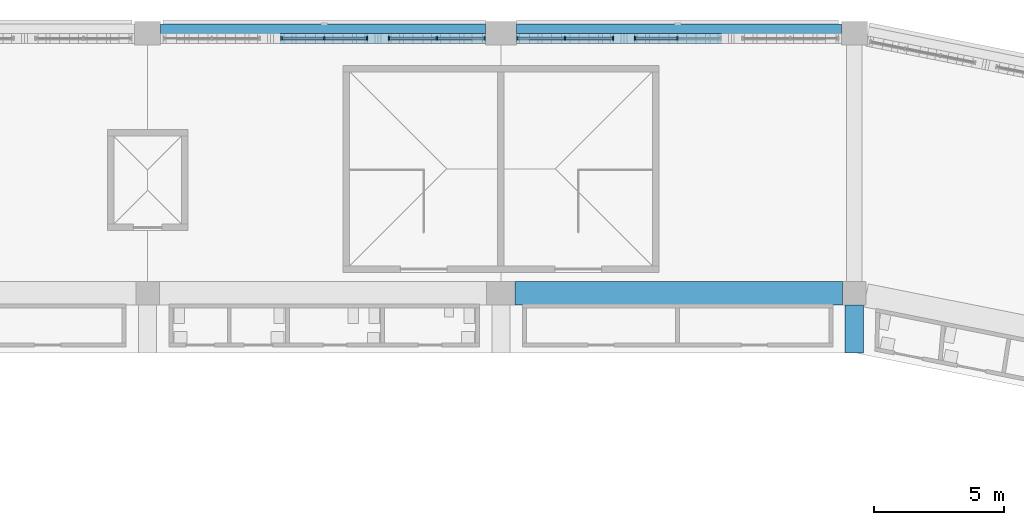
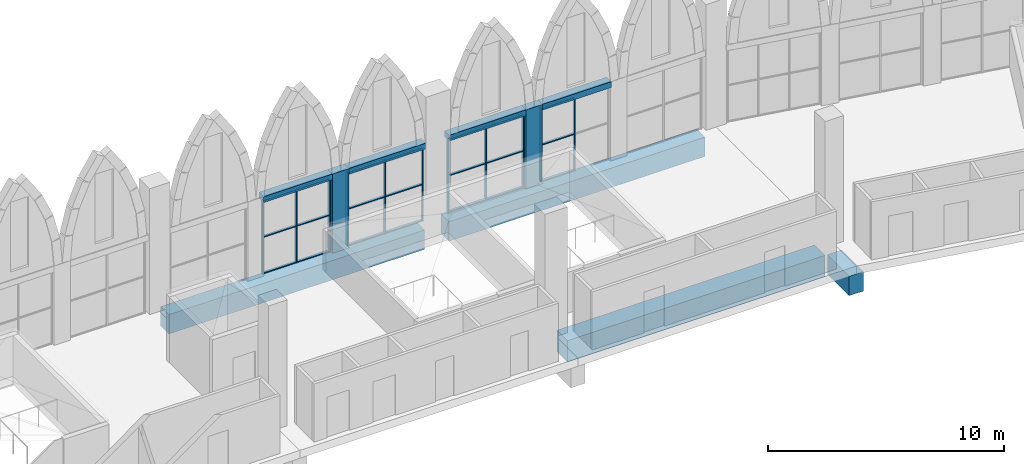
# One storey, part 38 of 130: 34 members, 8 beams, 4 elements without a shape of their own.
"""IFC4 building model written with IfcOpenShell, lengths in metres."""

from ifc_helpers import new_model, si_unit, direction, frame, origin, origin_2d, place, context, subcontext, project, spatial, rectangle, extrude, material, material_profile, profile_set, type_object, element, aggregate, save


model = new_model("IFC4")

# Units and contexts
model_context = context("Model", 3, precision=1e-05, world=origin(), true_north=direction((0.0, 1.0)))
body_context = subcontext(model_context, "Body", "Model", "MODEL_VIEW")
ifc_project = project(units=[si_unit("LENGTHUNIT", "METRE"), si_unit("AREAUNIT", "SQUARE_METRE"), si_unit("VOLUMEUNIT", "CUBIC_METRE"), si_unit("PLANEANGLEUNIT", "RADIAN"), si_unit("MASSUNIT", "GRAM", prefix="KILO")], contexts=[model_context])

# Site, building, storey
site_placement = place(None, origin())
site = spatial("IfcSite", under=ifc_project, at=site_placement, CompositionType="ELEMENT")
building_placement = place(site_placement, origin())
building = spatial("IfcBuilding", under=site, at=building_placement, Name="Ogive Plaza Stadium", CompositionType="ELEMENT")
storey_placement = place(building_placement, frame((0.0, 0.0, 22.5)))
storey = spatial("IfcBuildingStorey", under=building, at=storey_placement, Name="L05", CompositionType="ELEMENT", Elevation=22.5)

# Curtain wall, members
ifc_material_1 = material(Name="Bronze-anodised aluminium with laminated glass", Category="aluminium")
curtain_wall_type = type_object("IfcCurtainWallType", Name="Lancet curtain wall", PredefinedType="NOTDEFINED", material=ifc_material_1)
curtain_wall_1_placement = place(storey_placement, origin())
curtain_wall_1 = element("IfcCurtainWall", 1, at=curtain_wall_1_placement, inside=storey, type_object=curtain_wall_type, Name="CURTAIN WALL B35 L05", PredefinedType="NOTDEFINED")
ifc_material_2 = material(Name="Bronze-anodised aluminium", Category="aluminium")
ifc_material_profile_1 = material_profile(ifc_material_2, rectangle(XDim=0.14990234375, YDim=0.050048828125, at=origin_2d()), Name="AL 150x50")
ifc_profile_set_1 = profile_set([ifc_material_profile_1], Name="Bronze-anodised aluminium")
member_type_1 = type_object("IfcMemberType", Name="Curtain wall mullion 50x150", PredefinedType="MULLION", material=ifc_profile_set_1)
member_1_placement = place(storey_placement, frame((11.958251953125, 102.300048828125, 0.0), z_axis=(0.0, 0.0, 1.0), x_axis=(0.0, 1.0, 0.0)))
member_1 = element("IfcMember", 2, at=member_1_placement, type_object=member_type_1, Name="CW-B35-L05.2 mullion 1", PredefinedType="MULLION", context=body_context, shape_type="SweptSolid", body=[
    extrude(rectangle(XDim=0.14990234375, YDim=0.050048828125, at=origin_2d()), origin(), (0.0, 0.0, 1.0), 3.800048828125),
])
member_2_placement = place(storey_placement, frame((13.60009765625, 102.300048828125, 0.0), z_axis=(0.0, 0.0, 1.0), x_axis=(0.0, 1.0, 0.0)))
member_2 = element("IfcMember", 3, at=member_2_placement, type_object=member_type_1, Name="CW-B35-L05.2 mullion 2", PredefinedType="MULLION", context=body_context, shape_type="SweptSolid", body=[
    extrude(rectangle(XDim=0.14990234375, YDim=0.050048828125, at=origin_2d()), origin(), (0.0, 0.0, 1.0), 3.800048828125),
])
member_3_placement = place(storey_placement, frame((15.24169921875, 102.300048828125, 0.0), z_axis=(0.0, 0.0, 1.0), x_axis=(0.0, 1.0, 0.0)))
member_3 = element("IfcMember", 4, at=member_3_placement, type_object=member_type_1, Name="CW-B35-L05.2 mullion 3", PredefinedType="MULLION", context=body_context, shape_type="SweptSolid", body=[
    extrude(rectangle(XDim=0.14990234375, YDim=0.050048828125, at=origin_2d()), origin(), (0.0, 0.0, 1.0), 3.800048828125),
])

curtain_wall_2_placement = place(storey_placement, origin())
curtain_wall_2 = element("IfcCurtainWall", 5, at=curtain_wall_2_placement, inside=storey, type_object=curtain_wall_type, Name="CURTAIN WALL B35 L05", PredefinedType="NOTDEFINED")
member_4_placement = place(storey_placement, frame((16.091552734375, 102.300048828125, 0.0), z_axis=(0.0, 0.0, 1.0), x_axis=(0.0, 1.0, 0.0)))
member_4 = element("IfcMember", 6, at=member_4_placement, type_object=member_type_1, Name="CW-B35-L05.3 mullion 1", PredefinedType="MULLION", context=body_context, shape_type="SweptSolid", body=[
    extrude(rectangle(XDim=0.14990234375, YDim=0.050048828125, at=origin_2d()), origin(), (0.0, 0.0, 1.0), 3.800048828125),
])
member_5_placement = place(storey_placement, frame((17.933349609375, 102.300048828125, 0.0), z_axis=(0.0, 0.0, 1.0), x_axis=(0.0, 1.0, 0.0)))
member_5 = element("IfcMember", 7, at=member_5_placement, type_object=member_type_1, Name="CW-B35-L05.3 mullion 2", PredefinedType="MULLION", context=body_context, shape_type="SweptSolid", body=[
    extrude(rectangle(XDim=0.14990234375, YDim=0.050048828125, at=origin_2d()), origin(), (0.0, 0.0, 1.0), 3.800048828125),
])
member_6_placement = place(storey_placement, frame((19.77490234375, 102.300048828125, 0.0), z_axis=(0.0, 0.0, 1.0), x_axis=(0.0, 1.0, 0.0)))
member_6 = element("IfcMember", 8, at=member_6_placement, type_object=member_type_1, Name="CW-B35-L05.3 mullion 3", PredefinedType="MULLION", context=body_context, shape_type="SweptSolid", body=[
    extrude(rectangle(XDim=0.14990234375, YDim=0.050048828125, at=origin_2d()), origin(), (0.0, 0.0, 1.0), 3.800048828125),
])

curtain_wall_3_placement = place(storey_placement, origin())
curtain_wall_3 = element("IfcCurtainWall", 9, at=curtain_wall_3_placement, inside=storey, type_object=curtain_wall_type, Name="CURTAIN WALL B36 L05", PredefinedType="NOTDEFINED")
member_7_placement = place(storey_placement, frame((21.02490234375, 102.300048828125, 0.0), z_axis=(0.0, 0.0, 1.0), x_axis=(0.0, 1.0, 0.0)))
member_7 = element("IfcMember", 10, at=member_7_placement, type_object=member_type_1, Name="CW-B36-L05.1 mullion 1", PredefinedType="MULLION", context=body_context, shape_type="SweptSolid", body=[
    extrude(rectangle(XDim=0.14990234375, YDim=0.050048828125, at=origin_2d()), origin(), (0.0, 0.0, 1.0), 3.800048828125),
])
member_8_placement = place(storey_placement, frame((22.86669921875, 102.300048828125, 0.0), z_axis=(0.0, 0.0, 1.0), x_axis=(0.0, 1.0, 0.0)))
member_8 = element("IfcMember", 11, at=member_8_placement, type_object=member_type_1, Name="CW-B36-L05.1 mullion 2", PredefinedType="MULLION", context=body_context, shape_type="SweptSolid", body=[
    extrude(rectangle(XDim=0.14990234375, YDim=0.050048828125, at=origin_2d()), origin(), (0.0, 0.0, 1.0), 3.800048828125),
])
member_9_placement = place(storey_placement, frame((24.708251953125, 102.300048828125, 0.0), z_axis=(0.0, 0.0, 1.0), x_axis=(0.0, 1.0, 0.0)))
member_9 = element("IfcMember", 12, at=member_9_placement, type_object=member_type_1, Name="CW-B36-L05.1 mullion 3", PredefinedType="MULLION", context=body_context, shape_type="SweptSolid", body=[
    extrude(rectangle(XDim=0.14990234375, YDim=0.050048828125, at=origin_2d()), origin(), (0.0, 0.0, 1.0), 3.800048828125),
])

curtain_wall_4_placement = place(storey_placement, origin())
curtain_wall_4 = element("IfcCurtainWall", 13, at=curtain_wall_4_placement, inside=storey, type_object=curtain_wall_type, Name="CURTAIN WALL B36 L05", PredefinedType="NOTDEFINED")
member_10_placement = place(storey_placement, frame((25.558349609375, 102.300048828125, 0.0), z_axis=(0.0, 0.0, 1.0), x_axis=(0.0, 1.0, 0.0)))
member_10 = element("IfcMember", 14, at=member_10_placement, type_object=member_type_1, Name="CW-B36-L05.2 mullion 1", PredefinedType="MULLION", context=body_context, shape_type="SweptSolid", body=[
    extrude(rectangle(XDim=0.14990234375, YDim=0.050048828125, at=origin_2d()), origin(), (0.0, 0.0, 1.0), 3.800048828125),
])
member_11_placement = place(storey_placement, frame((27.199951171875, 102.300048828125, 0.0), z_axis=(0.0, 0.0, 1.0), x_axis=(0.0, 1.0, 0.0)))
member_11 = element("IfcMember", 15, at=member_11_placement, type_object=member_type_1, Name="CW-B36-L05.2 mullion 2", PredefinedType="MULLION", context=body_context, shape_type="SweptSolid", body=[
    extrude(rectangle(XDim=0.14990234375, YDim=0.050048828125, at=origin_2d()), origin(), (0.0, 0.0, 1.0), 3.800048828125),
])

# Member
ifc_material_3 = material(Name="Bronze-anodised aluminium", Category="aluminium")
ifc_material_profile_2 = material_profile(ifc_material_3, rectangle(XDim=0.1201171875, YDim=0.050048828125, at=origin_2d()), Name="AL 120x50")
ifc_profile_set_2 = profile_set([ifc_material_profile_2], Name="Bronze-anodised aluminium")
member_type_2 = type_object("IfcMemberType", Name="Curtain wall transom 50x120", PredefinedType="USERDEFINED", material=ifc_profile_set_2)
member_12_placement = place(storey_placement, frame((11.9833984375, 102.300048828125, 0.02490234375), z_axis=(1.0, 0.0, 0.0), x_axis=(0.0, 1.0, 0.0)))
member_12 = element("IfcMember", 16, at=member_12_placement, type_object=member_type_2, Name="CW-B35-L05.2 transom 1.1", ObjectType="TRANSOM", PredefinedType="USERDEFINED", context=body_context, shape_type="SweptSolid", body=[
    extrude(rectangle(XDim=0.1201171875, YDim=0.050048828125, at=origin_2d()), origin(), (0.0, 0.0, 1.0), 1.591552734375),
])

member_13_placement = place(storey_placement, frame((11.9833984375, 102.300048828125, 1.89990234375), z_axis=(1.0, 0.0, 0.0), x_axis=(0.0, 1.0, 0.0)))
member_13 = element("IfcMember", 17, at=member_13_placement, type_object=member_type_2, Name="CW-B35-L05.2 transom 1.2", ObjectType="TRANSOM", PredefinedType="USERDEFINED", context=body_context, shape_type="SweptSolid", body=[
    extrude(rectangle(XDim=0.1201171875, YDim=0.050048828125, at=origin_2d()), origin(), (0.0, 0.0, 1.0), 1.591552734375),
])

member_14_placement = place(storey_placement, frame((11.9833984375, 102.300048828125, 3.77490234375), z_axis=(1.0, 0.0, 0.0), x_axis=(0.0, 1.0, 0.0)))
member_14 = element("IfcMember", 18, at=member_14_placement, type_object=member_type_2, Name="CW-B35-L05.2 transom 1.3", ObjectType="TRANSOM", PredefinedType="USERDEFINED", context=body_context, shape_type="SweptSolid", body=[
    extrude(rectangle(XDim=0.1201171875, YDim=0.050048828125, at=origin_2d()), origin(), (0.0, 0.0, 1.0), 1.591552734375),
])

member_15_placement = place(storey_placement, frame((13.625, 102.300048828125, 0.02490234375), z_axis=(1.0, 0.0, 0.0), x_axis=(0.0, 1.0, 0.0)))
member_15 = element("IfcMember", 19, at=member_15_placement, type_object=member_type_2, Name="CW-B35-L05.2 transom 2.1", ObjectType="TRANSOM", PredefinedType="USERDEFINED", context=body_context, shape_type="SweptSolid", body=[
    extrude(rectangle(XDim=0.1201171875, YDim=0.050048828125, at=origin_2d()), origin(), (0.0, 0.0, 1.0), 1.591552734375),
])

member_16_placement = place(storey_placement, frame((13.625, 102.300048828125, 1.89990234375), z_axis=(1.0, 0.0, 0.0), x_axis=(0.0, 1.0, 0.0)))
member_16 = element("IfcMember", 20, at=member_16_placement, type_object=member_type_2, Name="CW-B35-L05.2 transom 2.2", ObjectType="TRANSOM", PredefinedType="USERDEFINED", context=body_context, shape_type="SweptSolid", body=[
    extrude(rectangle(XDim=0.1201171875, YDim=0.050048828125, at=origin_2d()), origin(), (0.0, 0.0, 1.0), 1.591552734375),
])

member_17_placement = place(storey_placement, frame((13.625, 102.300048828125, 3.77490234375), z_axis=(1.0, 0.0, 0.0), x_axis=(0.0, 1.0, 0.0)))
member_17 = element("IfcMember", 21, at=member_17_placement, type_object=member_type_2, Name="CW-B35-L05.2 transom 2.3", ObjectType="TRANSOM", PredefinedType="USERDEFINED", context=body_context, shape_type="SweptSolid", body=[
    extrude(rectangle(XDim=0.1201171875, YDim=0.050048828125, at=origin_2d()), origin(), (0.0, 0.0, 1.0), 1.591552734375),
])

aggregate(curtain_wall_1, [member_1, member_2, member_3, member_12, member_13, member_14, member_15, member_16, member_17])

member_18_placement = place(storey_placement, frame((16.11669921875, 102.300048828125, 0.02490234375), z_axis=(1.0, 0.0, 0.0), x_axis=(0.0, 1.0, 0.0)))
member_18 = element("IfcMember", 22, at=member_18_placement, type_object=member_type_2, Name="CW-B35-L05.3 transom 1.1", ObjectType="TRANSOM", PredefinedType="USERDEFINED", context=body_context, shape_type="SweptSolid", body=[
    extrude(rectangle(XDim=0.1201171875, YDim=0.050048828125, at=origin_2d()), origin(), (0.0, 0.0, 1.0), 1.791748046875),
])

member_19_placement = place(storey_placement, frame((16.11669921875, 102.300048828125, 1.89990234375), z_axis=(1.0, 0.0, 0.0), x_axis=(0.0, 1.0, 0.0)))
member_19 = element("IfcMember", 23, at=member_19_placement, type_object=member_type_2, Name="CW-B35-L05.3 transom 1.2", ObjectType="TRANSOM", PredefinedType="USERDEFINED", context=body_context, shape_type="SweptSolid", body=[
    extrude(rectangle(XDim=0.1201171875, YDim=0.050048828125, at=origin_2d()), origin(), (0.0, 0.0, 1.0), 1.791748046875),
])

member_20_placement = place(storey_placement, frame((16.11669921875, 102.300048828125, 3.77490234375), z_axis=(1.0, 0.0, 0.0), x_axis=(0.0, 1.0, 0.0)))
member_20 = element("IfcMember", 24, at=member_20_placement, type_object=member_type_2, Name="CW-B35-L05.3 transom 1.3", ObjectType="TRANSOM", PredefinedType="USERDEFINED", context=body_context, shape_type="SweptSolid", body=[
    extrude(rectangle(XDim=0.1201171875, YDim=0.050048828125, at=origin_2d()), origin(), (0.0, 0.0, 1.0), 1.791748046875),
])

member_21_placement = place(storey_placement, frame((17.958251953125, 102.300048828125, 0.02490234375), z_axis=(1.0, 0.0, 0.0), x_axis=(0.0, 1.0, 0.0)))
member_21 = element("IfcMember", 25, at=member_21_placement, type_object=member_type_2, Name="CW-B35-L05.3 transom 2.1", ObjectType="TRANSOM", PredefinedType="USERDEFINED", context=body_context, shape_type="SweptSolid", body=[
    extrude(rectangle(XDim=0.1201171875, YDim=0.050048828125, at=origin_2d()), origin(), (0.0, 0.0, 1.0), 1.791748046875),
])

member_22_placement = place(storey_placement, frame((17.958251953125, 102.300048828125, 1.89990234375), z_axis=(1.0, 0.0, 0.0), x_axis=(0.0, 1.0, 0.0)))
member_22 = element("IfcMember", 26, at=member_22_placement, type_object=member_type_2, Name="CW-B35-L05.3 transom 2.2", ObjectType="TRANSOM", PredefinedType="USERDEFINED", context=body_context, shape_type="SweptSolid", body=[
    extrude(rectangle(XDim=0.1201171875, YDim=0.050048828125, at=origin_2d()), origin(), (0.0, 0.0, 1.0), 1.791748046875),
])

member_23_placement = place(storey_placement, frame((17.958251953125, 102.300048828125, 3.77490234375), z_axis=(1.0, 0.0, 0.0), x_axis=(0.0, 1.0, 0.0)))
member_23 = element("IfcMember", 27, at=member_23_placement, type_object=member_type_2, Name="CW-B35-L05.3 transom 2.3", ObjectType="TRANSOM", PredefinedType="USERDEFINED", context=body_context, shape_type="SweptSolid", body=[
    extrude(rectangle(XDim=0.1201171875, YDim=0.050048828125, at=origin_2d()), origin(), (0.0, 0.0, 1.0), 1.791748046875),
])

aggregate(curtain_wall_2, [member_4, member_5, member_6, member_18, member_19, member_20, member_21, member_22, member_23])

member_24_placement = place(storey_placement, frame((21.050048828125, 102.300048828125, 0.02490234375), z_axis=(1.0, 0.0, 0.0), x_axis=(0.0, 1.0, 0.0)))
member_24 = element("IfcMember", 28, at=member_24_placement, type_object=member_type_2, Name="CW-B36-L05.1 transom 1.1", ObjectType="TRANSOM", PredefinedType="USERDEFINED", context=body_context, shape_type="SweptSolid", body=[
    extrude(rectangle(XDim=0.1201171875, YDim=0.050048828125, at=origin_2d()), origin(), (0.0, 0.0, 1.0), 1.79150390625),
])

member_25_placement = place(storey_placement, frame((21.050048828125, 102.300048828125, 1.89990234375), z_axis=(1.0, 0.0, 0.0), x_axis=(0.0, 1.0, 0.0)))
member_25 = element("IfcMember", 29, at=member_25_placement, type_object=member_type_2, Name="CW-B36-L05.1 transom 1.2", ObjectType="TRANSOM", PredefinedType="USERDEFINED", context=body_context, shape_type="SweptSolid", body=[
    extrude(rectangle(XDim=0.1201171875, YDim=0.050048828125, at=origin_2d()), origin(), (0.0, 0.0, 1.0), 1.79150390625),
])

member_26_placement = place(storey_placement, frame((21.050048828125, 102.300048828125, 3.77490234375), z_axis=(1.0, 0.0, 0.0), x_axis=(0.0, 1.0, 0.0)))
member_26 = element("IfcMember", 30, at=member_26_placement, type_object=member_type_2, Name="CW-B36-L05.1 transom 1.3", ObjectType="TRANSOM", PredefinedType="USERDEFINED", context=body_context, shape_type="SweptSolid", body=[
    extrude(rectangle(XDim=0.1201171875, YDim=0.050048828125, at=origin_2d()), origin(), (0.0, 0.0, 1.0), 1.79150390625),
])

member_27_placement = place(storey_placement, frame((22.8916015625, 102.300048828125, 0.02490234375), z_axis=(1.0, 0.0, 0.0), x_axis=(0.0, 1.0, 0.0)))
member_27 = element("IfcMember", 31, at=member_27_placement, type_object=member_type_2, Name="CW-B36-L05.1 transom 2.1", ObjectType="TRANSOM", PredefinedType="USERDEFINED", context=body_context, shape_type="SweptSolid", body=[
    extrude(rectangle(XDim=0.1201171875, YDim=0.050048828125, at=origin_2d()), origin(), (0.0, 0.0, 1.0), 1.791748046875),
])

member_28_placement = place(storey_placement, frame((22.8916015625, 102.300048828125, 1.89990234375), z_axis=(1.0, 0.0, 0.0), x_axis=(0.0, 1.0, 0.0)))
member_28 = element("IfcMember", 32, at=member_28_placement, type_object=member_type_2, Name="CW-B36-L05.1 transom 2.2", ObjectType="TRANSOM", PredefinedType="USERDEFINED", context=body_context, shape_type="SweptSolid", body=[
    extrude(rectangle(XDim=0.1201171875, YDim=0.050048828125, at=origin_2d()), origin(), (0.0, 0.0, 1.0), 1.791748046875),
])

member_29_placement = place(storey_placement, frame((22.8916015625, 102.300048828125, 3.77490234375), z_axis=(1.0, 0.0, 0.0), x_axis=(0.0, 1.0, 0.0)))
member_29 = element("IfcMember", 33, at=member_29_placement, type_object=member_type_2, Name="CW-B36-L05.1 transom 2.3", ObjectType="TRANSOM", PredefinedType="USERDEFINED", context=body_context, shape_type="SweptSolid", body=[
    extrude(rectangle(XDim=0.1201171875, YDim=0.050048828125, at=origin_2d()), origin(), (0.0, 0.0, 1.0), 1.791748046875),
])

aggregate(curtain_wall_3, [member_7, member_8, member_9, member_24, member_25, member_26, member_27, member_28, member_29])

member_30_placement = place(storey_placement, frame((25.583251953125, 102.300048828125, 0.02490234375), z_axis=(1.0, 0.0, 0.0), x_axis=(0.0, 1.0, 0.0)))
member_30 = element("IfcMember", 34, at=member_30_placement, type_object=member_type_2, Name="CW-B36-L05.2 transom 1.1", ObjectType="TRANSOM", PredefinedType="USERDEFINED", context=body_context, shape_type="SweptSolid", body=[
    extrude(rectangle(XDim=0.1201171875, YDim=0.050048828125, at=origin_2d()), origin(), (0.0, 0.0, 1.0), 1.591796875),
])

member_31_placement = place(storey_placement, frame((25.583251953125, 102.300048828125, 1.89990234375), z_axis=(1.0, 0.0, 0.0), x_axis=(0.0, 1.0, 0.0)))
member_31 = element("IfcMember", 35, at=member_31_placement, type_object=member_type_2, Name="CW-B36-L05.2 transom 1.2", ObjectType="TRANSOM", PredefinedType="USERDEFINED", context=body_context, shape_type="SweptSolid", body=[
    extrude(rectangle(XDim=0.1201171875, YDim=0.050048828125, at=origin_2d()), origin(), (0.0, 0.0, 1.0), 1.591796875),
])

member_32_placement = place(storey_placement, frame((25.583251953125, 102.300048828125, 3.77490234375), z_axis=(1.0, 0.0, 0.0), x_axis=(0.0, 1.0, 0.0)))
member_32 = element("IfcMember", 36, at=member_32_placement, type_object=member_type_2, Name="CW-B36-L05.2 transom 1.3", ObjectType="TRANSOM", PredefinedType="USERDEFINED", context=body_context, shape_type="SweptSolid", body=[
    extrude(rectangle(XDim=0.1201171875, YDim=0.050048828125, at=origin_2d()), origin(), (0.0, 0.0, 1.0), 1.591796875),
])

aggregate(curtain_wall_4, [member_10, member_11, member_30, member_31, member_32])

# Members
ifc_material_4 = material(Name="Concrete C45/55 precast", Category="concrete")
ifc_material_profile_3 = material_profile(ifc_material_4, rectangle(XDim=0.39990234375, YDim=0.800048828125, at=origin_2d()), Name="RC 400x800")
ifc_profile_set_3 = profile_set([ifc_material_profile_3], Name="Concrete C45/55 precast")
member_type_3 = type_object("IfcMemberType", Name="Precast colonette 800x400", PredefinedType="POST", material=ifc_profile_set_3)
for number, where, z_axis, x_axis, name in (
    (37, (15.666748046875, 102.300048828125, 0.0), (0.0, 0.0, 1.0), (0.0, 1.0, 0.0), "COLONETTE B35 2"),
    (38, (25.13330078125, 102.300048828125, 0.0), (0.0, 0.0, 1.0), (0.0, 1.0, 0.0), "COLONETTE B36 1"),
):
    element("IfcMember", number, at=place(storey_placement, frame(where, z_axis=z_axis, x_axis=x_axis)), inside=storey, type_object=member_type_3, Name=name, PredefinedType="POST", context=body_context, shape_type="SweptSolid", body=[
        extrude(rectangle(XDim=0.39990234375, YDim=0.800048828125, at=origin_2d()), origin(), (0.0, 0.0, 1.0), 4.10009765625),
    ])

# Beams
ifc_material_5 = material(Name="Concrete C45/55 precast", Category="concrete")
ifc_material_profile_4 = material_profile(ifc_material_5, rectangle(XDim=0.39990234375, YDim=0.300048828125, at=origin_2d()), Name="RC 400x300")
ifc_profile_set_4 = profile_set([ifc_material_profile_4], Name="Concrete C45/55 precast")
beam_type_1 = type_object("IfcBeamType", Name="Precast tympanum lintel 400x300", PredefinedType="BEAM", material=ifc_profile_set_4)
beam_1_placement = place(storey_placement, frame((11.9033203125, 102.300048828125, 3.949951171875), z_axis=(1.0, 0.0, 0.0), x_axis=(0.0, 1.0, 0.0)))
element("IfcBeam", 39, at=beam_1_placement, inside=storey, type_object=beam_type_1, Name="TYMPANUM LINTEL B35 2", PredefinedType="BEAM", context=body_context, shape_type="SweptSolid", body=[
    extrude(rectangle(XDim=0.39990234375, YDim=0.300048828125, at=origin_2d()), origin(), (0.0, 0.0, 1.0), 3.393310546875),
])
for number, where, z_axis, x_axis, name in (
    (40, (16.03662109375, 102.300048828125, 3.949951171875), (1.0, 0.0, 0.0), (0.0, 1.0, 0.0), "TYMPANUM LINTEL B35 3"),
    (41, (20.969970703125, 102.300048828125, 3.949951171875), (1.0, 0.0, 0.0), (0.0, 1.0, 0.0), "TYMPANUM LINTEL B36 1"),
):
    element("IfcBeam", number, at=place(storey_placement, frame(where, z_axis=z_axis, x_axis=x_axis)), inside=storey, type_object=beam_type_1, Name=name, PredefinedType="BEAM", context=body_context, shape_type="SweptSolid", body=[
        extrude(rectangle(XDim=0.39990234375, YDim=0.300048828125, at=origin_2d()), origin(), (0.0, 0.0, 1.0), 3.79345703125),
    ])
beam_2_placement = place(storey_placement, frame((25.50341796875, 102.300048828125, 3.949951171875), z_axis=(1.0, 0.0, 0.0), x_axis=(0.0, 1.0, 0.0)))
element("IfcBeam", 42, at=beam_2_placement, inside=storey, type_object=beam_type_1, Name="TYMPANUM LINTEL B36 2", PredefinedType="BEAM", context=body_context, shape_type="SweptSolid", body=[
    extrude(rectangle(XDim=0.39990234375, YDim=0.300048828125, at=origin_2d()), origin(), (0.0, 0.0, 1.0), 3.393310546875),
])
ifc_material_6 = material(Name="Concrete C40/50", Category="concrete")
ifc_material_profile_5 = material_profile(ifc_material_6, rectangle(XDim=0.699951171875, YDim=1.0, at=origin_2d()), Name="RC 700x1000")
ifc_profile_set_5 = profile_set([ifc_material_profile_5], Name="Concrete C40/50")
beam_type_2 = type_object("IfcBeamType", Name="RC radial beam 700x1000", PredefinedType="BEAM", material=ifc_profile_set_5)
beam_3_placement = place(storey_placement, frame((34.0, 90.199951171875, -0.909912109375), z_axis=(0.0, 1.0, 0.0), x_axis=(-1.0, 0.0, 0.0)))
element("IfcBeam", 43, at=beam_3_placement, inside=storey, type_object=beam_type_2, Name="Raker tail beam UT R37", PredefinedType="BEAM", context=body_context, shape_type="SweptSolid", body=[
    extrude(rectangle(XDim=0.699951171875, YDim=1.0, at=origin_2d()), origin(), (0.0, 0.0, 1.0), 1.85009765625),
])
ifc_material_7 = material(Name="Concrete C40/50", Category="concrete")
ifc_material_profile_6 = material_profile(ifc_material_7, rectangle(XDim=0.89990234375, YDim=1.10009765625, at=origin_2d()), Name="RC 900x1100")
ifc_profile_set_6 = profile_set([ifc_material_profile_6], Name="Concrete C40/50")
beam_type_3 = type_object("IfcBeamType", Name="RC ring beam 900x1100", PredefinedType="BEAM", material=ifc_profile_set_6)
beam_4_placement = place(storey_placement, frame((20.949951171875, 92.5, -0.9599609375), z_axis=(1.0, 0.0, 0.0), x_axis=(0.0, 1.0, 0.0)))
element("IfcBeam", 44, at=beam_4_placement, inside=storey, type_object=beam_type_3, Name="Ring beam F4 L05 B36", PredefinedType="BEAM", context=body_context, shape_type="SweptSolid", body=[
    extrude(rectangle(XDim=0.89990234375, YDim=1.10009765625, at=origin_2d()), origin(), (0.0, 0.0, 1.0), 12.60009765625),
])
ifc_material_8 = material(Name="Concrete C40/50", Category="concrete")
ifc_material_profile_7 = material_profile(ifc_material_8, rectangle(XDim=0.699951171875, YDim=1.0, at=origin_2d()), Name="RC 700x1000")
ifc_profile_set_7 = profile_set([ifc_material_profile_7], Name="Concrete C40/50")
beam_type_4 = type_object("IfcBeamType", Name="RC spandrel beam 700x1000", PredefinedType="SPANDREL", material=ifc_profile_set_7)
for number, where, z_axis, x_axis, name in (
    (45, (7.300048828125, 102.5, -0.909912109375), (1.0, 0.0, 0.0), (0.0, 1.0, 0.0), "Ring beam F5 L05 B35"),
    (46, (21.0, 102.5, -0.909912109375), (1.0, 0.0, 0.0), (0.0, 1.0, 0.0), "Ring beam F5 L05 B36"),
):
    element("IfcBeam", number, at=place(storey_placement, frame(where, z_axis=z_axis, x_axis=x_axis)), inside=storey, type_object=beam_type_4, Name=name, PredefinedType="SPANDREL", context=body_context, shape_type="SweptSolid", body=[
        extrude(rectangle(XDim=0.699951171875, YDim=1.0, at=origin_2d()), origin(), (0.0, 0.0, 1.0), 12.5),
    ])

save(model, "model.ifc")
